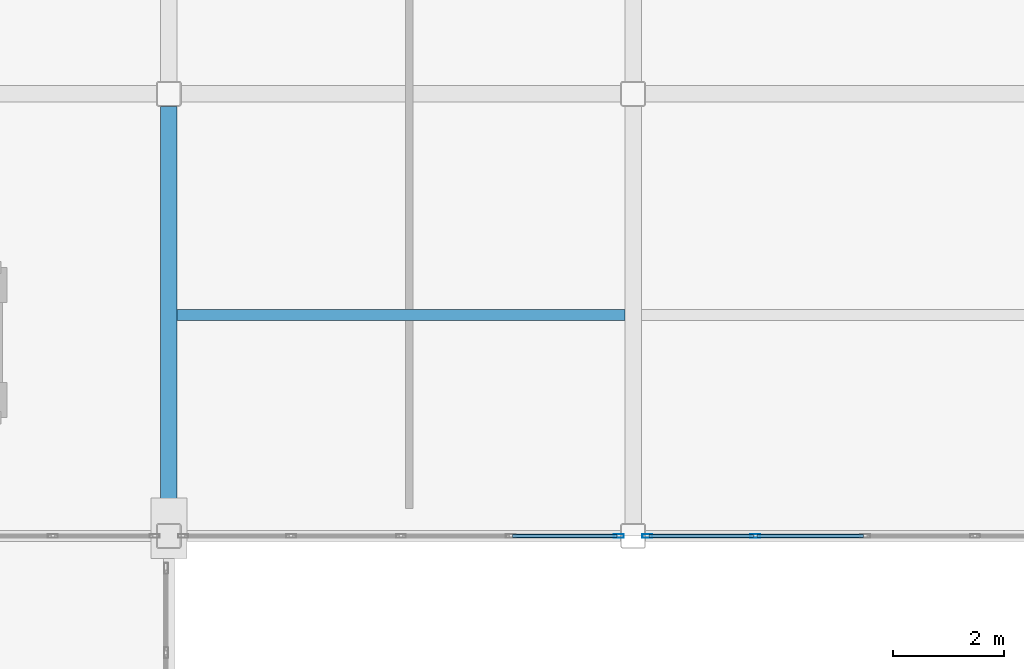
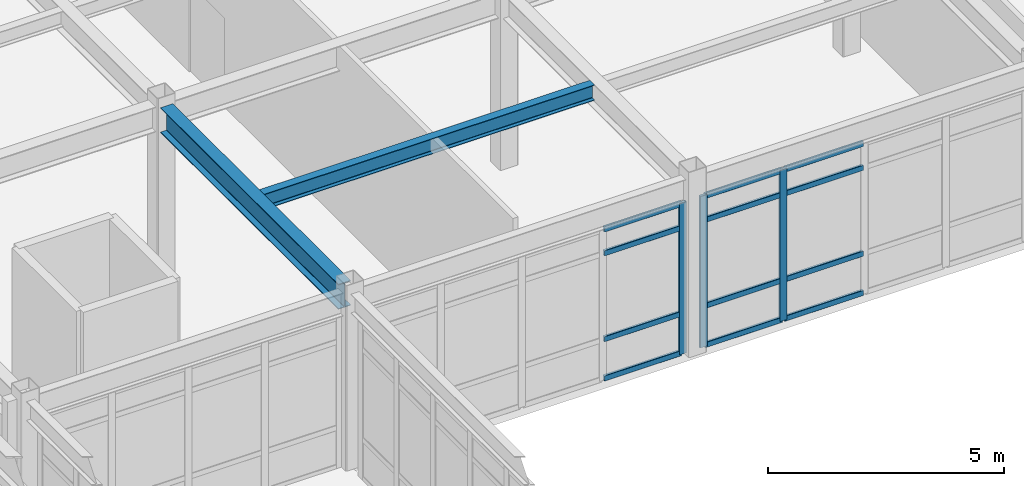
# One storey, part 77 of 172: 15 members, 2 beams, 2 elements without a shape of their own.
"""IFC4 building model written with IfcOpenShell, lengths in metres."""

from ifc_helpers import new_model, si_unit, direction, frame, origin, origin_2d, place, context, subcontext, project, spatial, hollow_rectangle, i_section, extrude, material, layer, layer_set, material_profile, profile_set, type_object, element, aggregate, save


model = new_model("IFC4")

# Units and contexts
model_context = context("Model", 3, precision=1e-05, world=origin(), true_north=direction((0.0, 1.0)))
body_context = subcontext(model_context, "Body", "Model", "MODEL_VIEW")
ifc_project = project(units=[si_unit("LENGTHUNIT", "METRE"), si_unit("AREAUNIT", "SQUARE_METRE"), si_unit("VOLUMEUNIT", "CUBIC_METRE"), si_unit("PLANEANGLEUNIT", "RADIAN"), si_unit("MASSUNIT", "GRAM", prefix="KILO")], contexts=[model_context])

# Site, building, storey
site_placement = place(None, origin())
site = spatial("IfcSite", under=ifc_project, at=site_placement, CompositionType="ELEMENT")
building_placement = place(site_placement, origin())
building = spatial("IfcBuilding", under=site, at=building_placement, Name="Kazehara Bluff Congress Hotel", CompositionType="ELEMENT")
storey_placement = place(building_placement, frame((0.0, 0.0, 5.39990234375)))
storey = spatial("IfcBuildingStorey", under=building, at=storey_placement, Name="L01", CompositionType="ELEMENT", Elevation=5.39990234375)

# Curtain wall, member
ifc_material_1 = material(Name="Anodised aluminium", Category="aluminium")
ifc_layer = layer(ifc_material_1, 0.159912109375)
ifc_layer_set = layer_set([ifc_layer], Name="Anodised aluminium")
curtain_wall_type = type_object("IfcCurtainWallType", Name="TP-CW-37", PredefinedType="NOTDEFINED", material=ifc_layer_set)
curtain_wall_1_placement = place(storey_placement, origin())
curtain_wall_1 = element("IfcCurtainWall", 1, at=curtain_wall_1_placement, inside=storey, type_object=curtain_wall_type, Name="L01 curtain wall CW-37 CW-V3-L01-Y8090-6788", PredefinedType="NOTDEFINED")
ifc_material_2 = material(Name="Anodised aluminium", Category="aluminium")
ifc_material_profile_1 = material_profile(ifc_material_2, hollow_rectangle(XDim=0.06494140625, YDim=0.179931640625, WallThickness=0.00390625, InnerFilletRadius=0.00390625, OuterFilletRadius=0.008056640625, at=origin_2d()))
ifc_profile_set_1 = profile_set([ifc_material_profile_1], Name="Anodised aluminium")
member_type_1 = type_object("IfcMemberType", Name="TP-CWM-02", PredefinedType="MULLION", material=ifc_profile_set_1)
member_1_placement = place(storey_placement, frame((75.79248046875, 80.89990234375, 0.0), z_axis=(0.0, 0.0, 1.0), x_axis=(0.0, 1.0, 0.0)))
member_1 = element("IfcMember", 2, at=member_1_placement, type_object=member_type_1, Name="CW-37 mullion 5", PredefinedType="MULLION", context=body_context, shape_type="SweptSolid", body=[
    extrude(hollow_rectangle(XDim=0.06494140625, YDim=0.179931640625, WallThickness=0.00390625, InnerFilletRadius=0.00390625, OuterFilletRadius=0.008056640625, at=origin_2d()), origin(), (0.0, 0.0, 1.0), 3.925048828125),
])

# Curtain wall, members
curtain_wall_2_placement = place(storey_placement, origin())
curtain_wall_2 = element("IfcCurtainWall", 3, at=curtain_wall_2_placement, inside=storey, type_object=curtain_wall_type, Name="L01 curtain wall CW-37 CW-V3-L01-Y8090-7628", PredefinedType="NOTDEFINED")
member_2_placement = place(storey_placement, frame((76.3076171875, 80.89990234375, 0.0), z_axis=(0.0, 0.0, 1.0), x_axis=(0.0, 1.0, 0.0)))
member_2 = element("IfcMember", 4, at=member_2_placement, type_object=member_type_1, Name="CW-37 mullion 1", PredefinedType="MULLION", context=body_context, shape_type="SweptSolid", body=[
    extrude(hollow_rectangle(XDim=0.06494140625, YDim=0.179931640625, WallThickness=0.00390625, InnerFilletRadius=0.00390625, OuterFilletRadius=0.008056640625, at=origin_2d()), origin(), (0.0, 0.0, 1.0), 3.925048828125),
])
member_3_placement = place(storey_placement, frame((78.262451171875, 80.89990234375, 0.0), z_axis=(0.0, 0.0, 1.0), x_axis=(0.0, 1.0, 0.0)))
member_3 = element("IfcMember", 5, at=member_3_placement, type_object=member_type_1, Name="CW-37 mullion 2", PredefinedType="MULLION", context=body_context, shape_type="SweptSolid", body=[
    extrude(hollow_rectangle(XDim=0.06494140625, YDim=0.179931640625, WallThickness=0.00390625, InnerFilletRadius=0.00390625, OuterFilletRadius=0.008056640625, at=origin_2d()), origin(), (0.0, 0.0, 1.0), 3.925048828125),
])

# Member
ifc_material_3 = material(Name="Anodised aluminium", Category="aluminium")
ifc_material_profile_2 = material_profile(ifc_material_3, hollow_rectangle(XDim=0.06494140625, YDim=0.139892578125, WallThickness=0.00390625, InnerFilletRadius=0.00390625, OuterFilletRadius=0.008056640625, at=origin_2d()))
ifc_profile_set_2 = profile_set([ifc_material_profile_2], Name="Anodised aluminium")
member_type_2 = type_object("IfcMemberType", Name="TP-CWT-02", PredefinedType="USERDEFINED", material=ifc_profile_set_2)
member_4_placement = place(storey_placement, frame((73.8701171875, 80.89990234375, 0.03271484375), z_axis=(1.0, 0.0, 0.0), x_axis=(0.0, 1.0, 0.0)))
member_4 = element("IfcMember", 6, at=member_4_placement, type_object=member_type_2, Name="CW-37 transom 4.1", ObjectType="TRANSOM", PredefinedType="USERDEFINED", context=body_context, shape_type="SweptSolid", body=[
    extrude(hollow_rectangle(XDim=0.06494140625, YDim=0.139892578125, WallThickness=0.00390625, InnerFilletRadius=0.00390625, OuterFilletRadius=0.008056640625, at=origin_2d()), origin(), (0.0, 0.0, 1.0), 1.889892578125),
])

member_5_placement = place(storey_placement, frame((73.8701171875, 80.89990234375, 1.050048828125), z_axis=(1.0, 0.0, 0.0), x_axis=(0.0, 1.0, 0.0)))
member_5 = element("IfcMember", 7, at=member_5_placement, type_object=member_type_2, Name="CW-37 transom 4.2", ObjectType="TRANSOM", PredefinedType="USERDEFINED", context=body_context, shape_type="SweptSolid", body=[
    extrude(hollow_rectangle(XDim=0.06494140625, YDim=0.139892578125, WallThickness=0.00390625, InnerFilletRadius=0.00390625, OuterFilletRadius=0.008056640625, at=origin_2d()), origin(), (0.0, 0.0, 1.0), 1.889892578125),
])

member_6_placement = place(storey_placement, frame((73.8701171875, 80.89990234375, 3.275146484375), z_axis=(1.0, 0.0, 0.0), x_axis=(0.0, 1.0, 0.0)))
member_6 = element("IfcMember", 8, at=member_6_placement, type_object=member_type_2, Name="CW-37 transom 4.3", ObjectType="TRANSOM", PredefinedType="USERDEFINED", context=body_context, shape_type="SweptSolid", body=[
    extrude(hollow_rectangle(XDim=0.06494140625, YDim=0.139892578125, WallThickness=0.00390625, InnerFilletRadius=0.00390625, OuterFilletRadius=0.008056640625, at=origin_2d()), origin(), (0.0, 0.0, 1.0), 1.889892578125),
])

member_7_placement = place(storey_placement, frame((73.8701171875, 80.89990234375, 3.892578125), z_axis=(1.0, 0.0, 0.0), x_axis=(0.0, 1.0, 0.0)))
member_7 = element("IfcMember", 9, at=member_7_placement, type_object=member_type_2, Name="CW-37 transom 4.4", ObjectType="TRANSOM", PredefinedType="USERDEFINED", context=body_context, shape_type="SweptSolid", body=[
    extrude(hollow_rectangle(XDim=0.06494140625, YDim=0.139892578125, WallThickness=0.00390625, InnerFilletRadius=0.00390625, OuterFilletRadius=0.008056640625, at=origin_2d()), origin(), (0.0, 0.0, 1.0), 1.889892578125),
])

aggregate(curtain_wall_1, [member_1, member_4, member_5, member_6, member_7])

member_8_placement = place(storey_placement, frame((76.340087890625, 80.89990234375, 0.03271484375), z_axis=(1.0, 0.0, 0.0), x_axis=(0.0, 1.0, 0.0)))
member_8 = element("IfcMember", 10, at=member_8_placement, type_object=member_type_2, Name="CW-37 transom 1.1", ObjectType="TRANSOM", PredefinedType="USERDEFINED", context=body_context, shape_type="SweptSolid", body=[
    extrude(hollow_rectangle(XDim=0.06494140625, YDim=0.139892578125, WallThickness=0.00390625, InnerFilletRadius=0.00390625, OuterFilletRadius=0.008056640625, at=origin_2d()), origin(), (0.0, 0.0, 1.0), 1.889892578125),
])

member_9_placement = place(storey_placement, frame((76.340087890625, 80.89990234375, 1.050048828125), z_axis=(1.0, 0.0, 0.0), x_axis=(0.0, 1.0, 0.0)))
member_9 = element("IfcMember", 11, at=member_9_placement, type_object=member_type_2, Name="CW-37 transom 1.2", ObjectType="TRANSOM", PredefinedType="USERDEFINED", context=body_context, shape_type="SweptSolid", body=[
    extrude(hollow_rectangle(XDim=0.06494140625, YDim=0.139892578125, WallThickness=0.00390625, InnerFilletRadius=0.00390625, OuterFilletRadius=0.008056640625, at=origin_2d()), origin(), (0.0, 0.0, 1.0), 1.889892578125),
])

member_10_placement = place(storey_placement, frame((76.340087890625, 80.89990234375, 3.275146484375), z_axis=(1.0, 0.0, 0.0), x_axis=(0.0, 1.0, 0.0)))
member_10 = element("IfcMember", 12, at=member_10_placement, type_object=member_type_2, Name="CW-37 transom 1.3", ObjectType="TRANSOM", PredefinedType="USERDEFINED", context=body_context, shape_type="SweptSolid", body=[
    extrude(hollow_rectangle(XDim=0.06494140625, YDim=0.139892578125, WallThickness=0.00390625, InnerFilletRadius=0.00390625, OuterFilletRadius=0.008056640625, at=origin_2d()), origin(), (0.0, 0.0, 1.0), 1.889892578125),
])

member_11_placement = place(storey_placement, frame((76.340087890625, 80.89990234375, 3.892578125), z_axis=(1.0, 0.0, 0.0), x_axis=(0.0, 1.0, 0.0)))
member_11 = element("IfcMember", 13, at=member_11_placement, type_object=member_type_2, Name="CW-37 transom 1.4", ObjectType="TRANSOM", PredefinedType="USERDEFINED", context=body_context, shape_type="SweptSolid", body=[
    extrude(hollow_rectangle(XDim=0.06494140625, YDim=0.139892578125, WallThickness=0.00390625, InnerFilletRadius=0.00390625, OuterFilletRadius=0.008056640625, at=origin_2d()), origin(), (0.0, 0.0, 1.0), 1.889892578125),
])

member_12_placement = place(storey_placement, frame((78.294921875, 80.89990234375, 0.03271484375), z_axis=(1.0, 0.0, 0.0), x_axis=(0.0, 1.0, 0.0)))
member_12 = element("IfcMember", 14, at=member_12_placement, type_object=member_type_2, Name="CW-37 transom 2.1", ObjectType="TRANSOM", PredefinedType="USERDEFINED", context=body_context, shape_type="SweptSolid", body=[
    extrude(hollow_rectangle(XDim=0.06494140625, YDim=0.139892578125, WallThickness=0.00390625, InnerFilletRadius=0.00390625, OuterFilletRadius=0.008056640625, at=origin_2d()), origin(), (0.0, 0.0, 1.0), 1.922607421875),
])

member_13_placement = place(storey_placement, frame((78.294921875, 80.89990234375, 1.050048828125), z_axis=(1.0, 0.0, 0.0), x_axis=(0.0, 1.0, 0.0)))
member_13 = element("IfcMember", 15, at=member_13_placement, type_object=member_type_2, Name="CW-37 transom 2.2", ObjectType="TRANSOM", PredefinedType="USERDEFINED", context=body_context, shape_type="SweptSolid", body=[
    extrude(hollow_rectangle(XDim=0.06494140625, YDim=0.139892578125, WallThickness=0.00390625, InnerFilletRadius=0.00390625, OuterFilletRadius=0.008056640625, at=origin_2d()), origin(), (0.0, 0.0, 1.0), 1.922607421875),
])

member_14_placement = place(storey_placement, frame((78.294921875, 80.89990234375, 3.275146484375), z_axis=(1.0, 0.0, 0.0), x_axis=(0.0, 1.0, 0.0)))
member_14 = element("IfcMember", 16, at=member_14_placement, type_object=member_type_2, Name="CW-37 transom 2.3", ObjectType="TRANSOM", PredefinedType="USERDEFINED", context=body_context, shape_type="SweptSolid", body=[
    extrude(hollow_rectangle(XDim=0.06494140625, YDim=0.139892578125, WallThickness=0.00390625, InnerFilletRadius=0.00390625, OuterFilletRadius=0.008056640625, at=origin_2d()), origin(), (0.0, 0.0, 1.0), 1.922607421875),
])

member_15_placement = place(storey_placement, frame((78.294921875, 80.89990234375, 3.892578125), z_axis=(1.0, 0.0, 0.0), x_axis=(0.0, 1.0, 0.0)))
member_15 = element("IfcMember", 17, at=member_15_placement, type_object=member_type_2, Name="CW-37 transom 2.4", ObjectType="TRANSOM", PredefinedType="USERDEFINED", context=body_context, shape_type="SweptSolid", body=[
    extrude(hollow_rectangle(XDim=0.06494140625, YDim=0.139892578125, WallThickness=0.00390625, InnerFilletRadius=0.00390625, OuterFilletRadius=0.008056640625, at=origin_2d()), origin(), (0.0, 0.0, 1.0), 1.922607421875),
])

aggregate(curtain_wall_2, [member_2, member_3, member_8, member_9, member_10, member_11, member_12, member_13, member_14, member_15])

# Beams
ifc_material_4 = material(Name="Steel SN490B", Category="steel")
ifc_material_profile_3 = material_profile(ifc_material_4, i_section(OverallWidth=0.300048828125, OverallDepth=0.64990234375, WebThickness=0.011962890625, FlangeThickness=0.02001953125, FilletRadius=0.012939453125, at=origin_2d()))
ifc_profile_set_3 = profile_set([ifc_material_profile_3], Name="Steel SN490B")
beam_type_1 = type_object("IfcBeamType", Name="TP-G-03", PredefinedType="BEAM", material=ifc_profile_set_3)
beam_1_placement = place(storey_placement, frame((67.64990234375, 81.125, 4.22509765625), z_axis=(0.0, 1.0, 0.0), x_axis=(-1.0, 0.0, 0.0)))
element("IfcBeam", 18, at=beam_1_placement, inside=storey, type_object=beam_type_1, Name="L01 girder G-03 103", PredefinedType="BEAM", context=body_context, shape_type="SweptSolid", body=[
    extrude(i_section(OverallWidth=0.300048828125, OverallDepth=0.64990234375, WebThickness=0.011962890625, FlangeThickness=0.02001953125, FilletRadius=0.012939453125, at=origin_2d()), origin(), (0.0, 0.0, 1.0), 7.550048828125),
])
ifc_material_5 = material(Name="Steel SN400B", Category="steel")
ifc_material_profile_4 = material_profile(ifc_material_5, i_section(OverallWidth=0.199951171875, OverallDepth=0.39990234375, WebThickness=0.008056640625, FlangeThickness=0.012939453125, FilletRadius=0.012939453125, at=origin_2d()))
ifc_profile_set_4 = profile_set([ifc_material_profile_4], Name="Steel SN400B")
beam_type_2 = type_object("IfcBeamType", Name="TP-J-03", PredefinedType="JOIST", material=ifc_profile_set_4)
beam_2_placement = place(storey_placement, frame((67.800048828125, 84.89990234375, 4.35009765625), z_axis=(1.0, 0.0, 0.0), x_axis=(0.0, 1.0, 0.0)))
element("IfcBeam", 19, at=beam_2_placement, inside=storey, type_object=beam_type_2, Name="L01 secondary joist J-03 17", PredefinedType="JOIST", context=body_context, shape_type="SweptSolid", body=[
    extrude(i_section(OverallWidth=0.199951171875, OverallDepth=0.39990234375, WebThickness=0.008056640625, FlangeThickness=0.012939453125, FilletRadius=0.012939453125, at=origin_2d()), origin(), (0.0, 0.0, 1.0), 8.099853515625),
])

save(model, "model.ifc")
